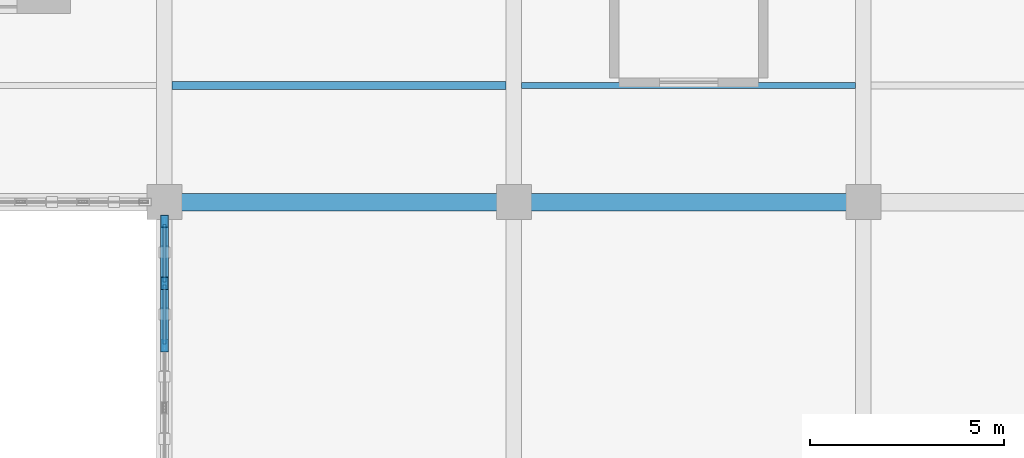
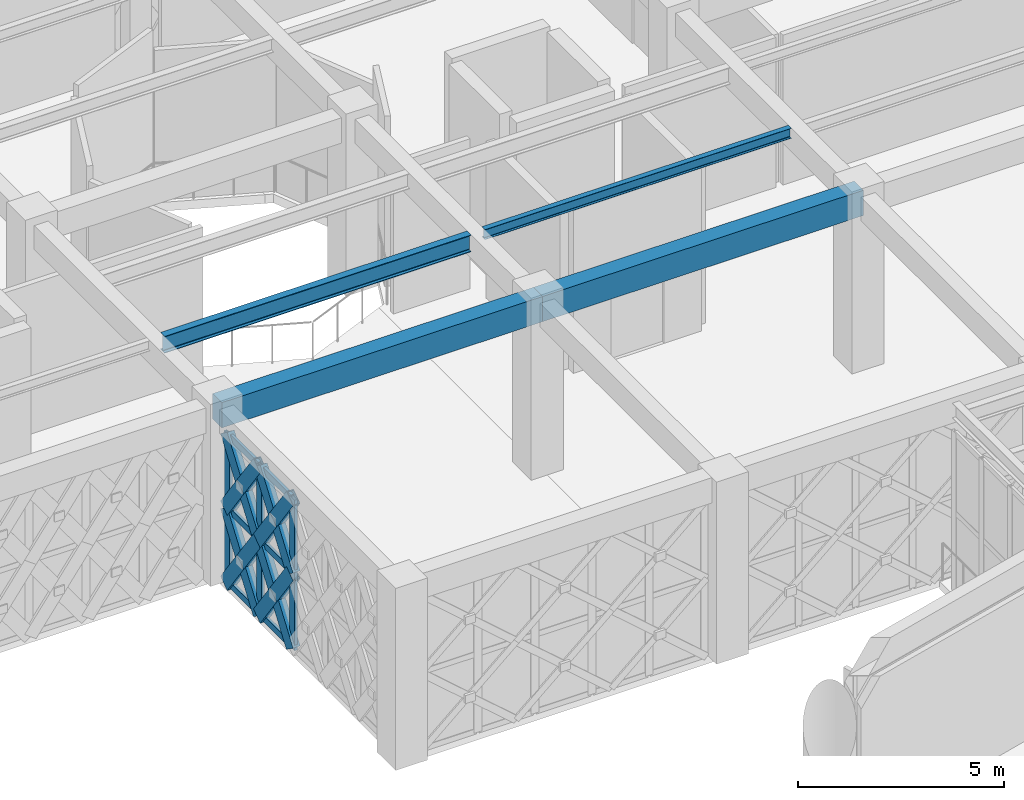
# One storey, part 72 of 155: 21 members, 4 beams, 1 element without a shape of its own.
"""IFC4 building model written with IfcOpenShell, lengths in metres."""

from ifc_helpers import new_model, si_unit, direction, frame, origin, origin_2d, place, context, subcontext, project, spatial, rectangle, hollow_rectangle, i_section, extrude, material, material_profile, profile_set, type_object, element, aggregate, save


model = new_model("IFC4")

# Units and contexts
model_context = context("Model", 3, precision=1e-05, world=origin(), true_north=direction((0.0, 1.0)))
body_context = subcontext(model_context, "Body", "Model", "MODEL_VIEW")
ifc_project = project(units=[si_unit("LENGTHUNIT", "METRE"), si_unit("AREAUNIT", "SQUARE_METRE"), si_unit("VOLUMEUNIT", "CUBIC_METRE"), si_unit("PLANEANGLEUNIT", "RADIAN"), si_unit("MASSUNIT", "GRAM", prefix="KILO")], contexts=[model_context])

# Site, building, storey
site_placement = place(None, origin())
site = spatial("IfcSite", under=ifc_project, at=site_placement, CompositionType="ELEMENT")
building_placement = place(site_placement, origin())
building = spatial("IfcBuilding", under=site, at=building_placement, Name="Haizhuo Lancet Aquarium", CompositionType="ELEMENT")
storey_placement = place(building_placement, frame((0.0, 0.0, 10.800048828125)))
storey = spatial("IfcBuildingStorey", under=building, at=storey_placement, Name="L02", CompositionType="ELEMENT", Elevation=10.800048828125)

# Beams
ifc_material_1 = material(Name="Concrete C40/50", Category="concrete")
ifc_material_profile_1 = material_profile(ifc_material_1, rectangle(XDim=0.449951171875, YDim=0.75, at=origin_2d()), Name="RC-BM 450x750")
ifc_profile_set_1 = profile_set([ifc_material_profile_1], Name="Concrete C40/50")
beam_type_1 = type_object("IfcBeamType", Name="BM-RC-450x750", PredefinedType="BEAM", material=ifc_profile_set_1)
for number, where, z_axis, x_axis, name in (
    (1, (-18.0, 36.0, 4.784912109375), (1.0, 0.0, 0.0), (0.0, 1.0, 0.0), "L02 V5 primary girder BM-L02-V5-006"),
    (2, (-9.0, 36.0, 4.784912109375), (1.0, 0.0, 0.0), (0.0, 1.0, 0.0), "L02 V5 primary girder BM-L02-V5-013"),
):
    element("IfcBeam", number, at=place(storey_placement, frame(where, z_axis=z_axis, x_axis=x_axis)), inside=storey, type_object=beam_type_1, Name=name, PredefinedType="BEAM", context=body_context, shape_type="SweptSolid", body=[
        extrude(rectangle(XDim=0.449951171875, YDim=0.75, at=origin_2d()), origin(), (0.0, 0.0, 1.0), 9.0),
    ])

# Curtain wall, members
ifc_material_2 = material(Name="Aluminium 6063-T6", Category="aluminium")
curtain_wall_type = type_object("IfcCurtainWallType", Name="CWD-8010x4460", PredefinedType="NOTDEFINED", material=ifc_material_2)
curtain_wall_placement = place(storey_placement, origin())
curtain_wall = element("IfcCurtainWall", 3, at=curtain_wall_placement, inside=storey, type_object=curtain_wall_type, Name="L02 curtain wall CW-V5-L02-159", PredefinedType="NOTDEFINED")
ifc_material_profile_2 = material_profile(ifc_material_2, hollow_rectangle(XDim=0.080078125, YDim=0.260009765625, WallThickness=0.0048828125, at=origin_2d()), Name="ALU-M 80x260x5")
ifc_profile_set_2 = profile_set([ifc_material_profile_2], Name="Aluminium 6063-T6")
member_type_1 = type_object("IfcMemberType", Name="CW-MUL-3", PredefinedType="MULLION", material=ifc_profile_set_2)
member_1_placement = place(storey_placement, frame((-18.0, 32.301025390625, 0.0), z_axis=(0.0, 0.0, 1.0), x_axis=(-1.0, 0.0, 0.0)))
member_1 = element("IfcMember", 4, at=member_1_placement, type_object=member_type_1, Name="CWD-80x44 mullion 4", PredefinedType="MULLION", context=body_context, shape_type="SweptSolid", body=[
    extrude(hollow_rectangle(XDim=0.080078125, YDim=0.260009765625, WallThickness=0.0048828125, at=origin_2d()), origin(), (0.0, 0.0, 1.0), 4.4599609375),
])
member_2_placement = place(storey_placement, frame((-18.0, 33.903076171875, 0.0), z_axis=(0.0, 0.0, 1.0), x_axis=(-1.0, 0.0, 0.0)))
member_2 = element("IfcMember", 5, at=member_2_placement, type_object=member_type_1, Name="CWD-80x44 mullion 5", PredefinedType="MULLION", context=body_context, shape_type="SweptSolid", body=[
    extrude(hollow_rectangle(XDim=0.080078125, YDim=0.260009765625, WallThickness=0.0048828125, at=origin_2d()), origin(), (0.0, 0.0, 1.0), 4.4599609375),
])
member_3_placement = place(storey_placement, frame((-18.0, 35.465087890625, 0.0), z_axis=(0.0, 0.0, 1.0), x_axis=(-1.0, 0.0, 0.0)))
member_3 = element("IfcMember", 6, at=member_3_placement, type_object=member_type_1, Name="CWD-80x44 mullion 6", PredefinedType="MULLION", context=body_context, shape_type="SweptSolid", body=[
    extrude(hollow_rectangle(XDim=0.080078125, YDim=0.260009765625, WallThickness=0.0048828125, at=origin_2d()), origin(), (0.0, 0.0, 1.0), 4.4599609375),
])
ifc_material_profile_3 = material_profile(ifc_material_2, hollow_rectangle(XDim=0.080078125, YDim=0.18994140625, WallThickness=0.0048828125, at=origin_2d()), Name="ALU-T 80x190x5")
ifc_profile_set_3 = profile_set([ifc_material_profile_3], Name="Aluminium 6063-T6")
member_type_2 = type_object("IfcMemberType", Name="CW-TRN-3", PredefinedType="NOTDEFINED", material=ifc_profile_set_3)
member_4_placement = place(storey_placement, frame((-18.0, 32.341064453125, 0.0400390625), z_axis=(0.0, 1.0, 0.0), x_axis=(-1.0, 0.0, 0.0)))
member_4 = element("IfcMember", 7, at=member_4_placement, type_object=member_type_2, Name="CWD-80x44 transom 4.1", ObjectType="TRANSOM", PredefinedType="USERDEFINED", context=body_context, shape_type="SweptSolid", body=[
    extrude(hollow_rectangle(XDim=0.080078125, YDim=0.18994140625, WallThickness=0.0048828125, at=origin_2d()), origin(), (0.0, 0.0, 1.0), 1.52197265625),
])
member_5_placement = place(storey_placement, frame((-18.0, 32.341064453125, 2.22998046875), z_axis=(0.0, 1.0, 0.0), x_axis=(-1.0, 0.0, 0.0)))
member_5 = element("IfcMember", 8, at=member_5_placement, type_object=member_type_2, Name="CWD-80x44 transom 4.2", ObjectType="TRANSOM", PredefinedType="USERDEFINED", context=body_context, shape_type="SweptSolid", body=[
    extrude(hollow_rectangle(XDim=0.080078125, YDim=0.18994140625, WallThickness=0.0048828125, at=origin_2d()), origin(), (0.0, 0.0, 1.0), 1.52197265625),
])
member_6_placement = place(storey_placement, frame((-18.0, 32.341064453125, 4.419921875), z_axis=(0.0, 1.0, 0.0), x_axis=(-1.0, 0.0, 0.0)))
member_6 = element("IfcMember", 9, at=member_6_placement, type_object=member_type_2, Name="CWD-80x44 transom 4.3", ObjectType="TRANSOM", PredefinedType="USERDEFINED", context=body_context, shape_type="SweptSolid", body=[
    extrude(hollow_rectangle(XDim=0.080078125, YDim=0.18994140625, WallThickness=0.0048828125, at=origin_2d()), origin(), (0.0, 0.0, 1.0), 1.52197265625),
])
member_7_placement = place(storey_placement, frame((-18.0, 33.943115234375, 0.0400390625), z_axis=(0.0, 1.0, 0.0), x_axis=(-1.0, 0.0, 0.0)))
member_7 = element("IfcMember", 10, at=member_7_placement, type_object=member_type_2, Name="CWD-80x44 transom 5.1", ObjectType="TRANSOM", PredefinedType="USERDEFINED", context=body_context, shape_type="SweptSolid", body=[
    extrude(hollow_rectangle(XDim=0.080078125, YDim=0.18994140625, WallThickness=0.0048828125, at=origin_2d()), origin(), (0.0, 0.0, 1.0), 1.48193359375),
])
member_8_placement = place(storey_placement, frame((-18.0, 33.943115234375, 2.22998046875), z_axis=(0.0, 1.0, 0.0), x_axis=(-1.0, 0.0, 0.0)))
member_8 = element("IfcMember", 11, at=member_8_placement, type_object=member_type_2, Name="CWD-80x44 transom 5.2", ObjectType="TRANSOM", PredefinedType="USERDEFINED", context=body_context, shape_type="SweptSolid", body=[
    extrude(hollow_rectangle(XDim=0.080078125, YDim=0.18994140625, WallThickness=0.0048828125, at=origin_2d()), origin(), (0.0, 0.0, 1.0), 1.48193359375),
])
member_9_placement = place(storey_placement, frame((-18.0, 33.943115234375, 4.419921875), z_axis=(0.0, 1.0, 0.0), x_axis=(-1.0, 0.0, 0.0)))
member_9 = element("IfcMember", 12, at=member_9_placement, type_object=member_type_2, Name="CWD-80x44 transom 5.3", ObjectType="TRANSOM", PredefinedType="USERDEFINED", context=body_context, shape_type="SweptSolid", body=[
    extrude(hollow_rectangle(XDim=0.080078125, YDim=0.18994140625, WallThickness=0.0048828125, at=origin_2d()), origin(), (0.0, 0.0, 1.0), 1.48193359375),
])
aggregate(curtain_wall, [member_1, member_2, member_3, member_4, member_5, member_6, member_7, member_8, member_9])

# Beams
ifc_material_3 = material(Name="Steel S355", Category="steel")
ifc_material_profile_4 = material_profile(ifc_material_3, i_section(OverallWidth=0.14990234375, OverallDepth=0.300048828125, WebThickness=0.006591796875, FlangeThickness=0.009033203125, FilletRadius=0.012939453125, at=origin_2d()), Name="HN 300x150x6.5x9")
ifc_profile_set_4 = profile_set([ifc_material_profile_4], Name="Steel S355")
beam_type_2 = type_object("IfcBeamType", Name="JST-ST-HN300", PredefinedType="JOIST", material=ifc_profile_set_4)
beam_1_placement = place(storey_placement, frame((-8.800048828125, 39.0, 5.010009765625), z_axis=(1.0, 0.0, 0.0), x_axis=(0.0, 1.0, 0.0)))
element("IfcBeam", 13, at=beam_1_placement, inside=storey, type_object=beam_type_2, Name="L02 V5 secondary floor joist 6", PredefinedType="JOIST", context=body_context, shape_type="SweptSolid", body=[
    extrude(i_section(OverallWidth=0.14990234375, OverallDepth=0.300048828125, WebThickness=0.006591796875, FlangeThickness=0.009033203125, FilletRadius=0.012939453125, at=origin_2d()), origin(), (0.0, 0.0, 1.0), 8.60009765625),
])
ifc_material_profile_5 = material_profile(ifc_material_3, i_section(OverallWidth=0.199951171875, OverallDepth=0.5, WebThickness=0.010009765625, FlangeThickness=0.01611328125, FilletRadius=0.02001953125, at=origin_2d()), Name="HN 500x200x10x16")
ifc_profile_set_5 = profile_set([ifc_material_profile_5], Name="Steel S355")
beam_type_3 = type_object("IfcBeamType", Name="JST-ST-HN500", PredefinedType="JOIST", material=ifc_profile_set_5)
beam_2_placement = place(storey_placement, frame((-17.800048828125, 39.0, 4.909912109375), z_axis=(1.0, 0.0, 0.0), x_axis=(0.0, 1.0, 0.0)))
element("IfcBeam", 14, at=beam_2_placement, inside=storey, type_object=beam_type_3, Name="L02 V5 secondary floor joist 2", PredefinedType="JOIST", context=body_context, shape_type="SweptSolid", body=[
    extrude(i_section(OverallWidth=0.199951171875, OverallDepth=0.5, WebThickness=0.010009765625, FlangeThickness=0.01611328125, FilletRadius=0.02001953125, at=origin_2d()), origin(), (0.0, 0.0, 1.0), 8.60009765625),
])

# Members
ifc_material_profile_6 = material_profile(ifc_material_3, hollow_rectangle(XDim=0.199951171875, YDim=0.39990234375, WallThickness=0.011962890625, at=origin_2d()), Name="RHS 200x400x12")
ifc_profile_set_6 = profile_set([ifc_material_profile_6], Name="Steel S355")
member_type_3 = type_object("IfcMemberType", Name="MEM-LB-RHS200x400", PredefinedType="BRACE", material=ifc_profile_set_6)
member_10_placement = place(storey_placement, frame((-18.0, 32.301025390625, 0.0), z_axis=(0.0, 0.583456487426, 0.81214440051), x_axis=(-1.0, 0.0, 0.0)))
element("IfcMember", 15, at=member_10_placement, inside=storey, type_object=member_type_3, Name="Gothic lancet continuous diagonal brace CW-V5-L02-159 7A", PredefinedType="BRACE", context=body_context, shape_type="SweptSolid", body=[
    extrude(hollow_rectangle(XDim=0.199951171875, YDim=0.39990234375, WallThickness=0.011962890625, at=origin_2d()), origin(), (0.0, 0.0, 1.0), 2.745849609375),
])
for number, where, z_axis, x_axis, name in (
    (16, (-18.0, 33.903076171875, 0.0), (0.0, -0.583456487426, 0.81214440051), (1.0, 0.0, 0.0), "Gothic lancet split diagonal brace CW-V5-L02-159 7B1"),
    (17, (-18.0, 33.10205078125, 1.114990234375), (0.0, -0.583456487426, 0.81214440051), (1.0, 0.0, 0.0), "Gothic lancet split diagonal brace CW-V5-L02-159 7B2"),
):
    element("IfcMember", number, at=place(storey_placement, frame(where, z_axis=z_axis, x_axis=x_axis)), inside=storey, type_object=member_type_3, Name=name, PredefinedType="BRACE", context=body_context, shape_type="SweptSolid", body=[
        extrude(hollow_rectangle(XDim=0.199951171875, YDim=0.39990234375, WallThickness=0.011962890625, at=origin_2d()), origin(), (0.0, 0.0, 1.0), 1.372802734375),
    ])
member_11_placement = place(storey_placement, frame((-18.0, 32.301025390625, 2.22998046875), z_axis=(0.0, 0.583456487426, 0.81214440051), x_axis=(-1.0, 0.0, 0.0)))
element("IfcMember", 18, at=member_11_placement, inside=storey, type_object=member_type_3, Name="Gothic lancet continuous diagonal brace CW-V5-L02-159 8A", PredefinedType="BRACE", context=body_context, shape_type="SweptSolid", body=[
    extrude(hollow_rectangle(XDim=0.199951171875, YDim=0.39990234375, WallThickness=0.011962890625, at=origin_2d()), origin(), (0.0, 0.0, 1.0), 2.745849609375),
])
for number, where, z_axis, x_axis, name in (
    (19, (-18.0, 33.903076171875, 2.22998046875), (0.0, -0.583456487426, 0.81214440051), (1.0, 0.0, 0.0), "Gothic lancet split diagonal brace CW-V5-L02-159 8B1"),
    (20, (-18.0, 33.10205078125, 3.344970703125), (0.0, -0.583456487426, 0.81214440051), (1.0, 0.0, 0.0), "Gothic lancet split diagonal brace CW-V5-L02-159 8B2"),
):
    element("IfcMember", number, at=place(storey_placement, frame(where, z_axis=z_axis, x_axis=x_axis)), inside=storey, type_object=member_type_3, Name=name, PredefinedType="BRACE", context=body_context, shape_type="SweptSolid", body=[
        extrude(hollow_rectangle(XDim=0.199951171875, YDim=0.39990234375, WallThickness=0.011962890625, at=origin_2d()), origin(), (0.0, 0.0, 1.0), 1.372802734375),
    ])
member_12_placement = place(storey_placement, frame((-18.0, 33.903076171875, 0.0), z_axis=(0.0, 0.583397836814, 0.812186532763), x_axis=(-1.0, 0.0, 0.0)))
element("IfcMember", 21, at=member_12_placement, inside=storey, type_object=member_type_3, Name="Gothic lancet continuous diagonal brace CW-V5-L02-159 9A", PredefinedType="BRACE", context=body_context, shape_type="SweptSolid", body=[
    extrude(hollow_rectangle(XDim=0.199951171875, YDim=0.39990234375, WallThickness=0.011962890625, at=origin_2d()), origin(), (0.0, 0.0, 1.0), 2.74560546875),
])
for number, where, z_axis, x_axis, name in (
    (22, (-18.0, 35.5048828125, 0.0), (0.0, -0.583339177073, 0.81222866515), (1.0, 0.0, 0.0), "Gothic lancet split diagonal brace CW-V5-L02-159 9B1"),
    (23, (-18.0, 34.7041015625, 1.114990234375), (0.0, -0.583456487426, 0.81214440051), (1.0, 0.0, 0.0), "Gothic lancet split diagonal brace CW-V5-L02-159 9B2"),
):
    element("IfcMember", number, at=place(storey_placement, frame(where, z_axis=z_axis, x_axis=x_axis)), inside=storey, type_object=member_type_3, Name=name, PredefinedType="BRACE", context=body_context, shape_type="SweptSolid", body=[
        extrude(hollow_rectangle(XDim=0.199951171875, YDim=0.39990234375, WallThickness=0.011962890625, at=origin_2d()), origin(), (0.0, 0.0, 1.0), 1.372802734375),
    ])
member_13_placement = place(storey_placement, frame((-18.0, 33.903076171875, 2.22998046875), z_axis=(0.0, 0.583397836814, 0.812186532763), x_axis=(-1.0, 0.0, 0.0)))
element("IfcMember", 24, at=member_13_placement, inside=storey, type_object=member_type_3, Name="Gothic lancet continuous diagonal brace CW-V5-L02-159 10A", PredefinedType="BRACE", context=body_context, shape_type="SweptSolid", body=[
    extrude(hollow_rectangle(XDim=0.199951171875, YDim=0.39990234375, WallThickness=0.011962890625, at=origin_2d()), origin(), (0.0, 0.0, 1.0), 2.74560546875),
])
for number, where, z_axis, x_axis, name in (
    (25, (-18.0, 35.5048828125, 2.22998046875), (0.0, -0.583339177073, 0.81222866515), (1.0, 0.0, 0.0), "Gothic lancet split diagonal brace CW-V5-L02-159 10B1"),
    (26, (-18.0, 34.7041015625, 3.344970703125), (0.0, -0.583456487426, 0.81214440051), (1.0, 0.0, 0.0), "Gothic lancet split diagonal brace CW-V5-L02-159 10B2"),
):
    element("IfcMember", number, at=place(storey_placement, frame(where, z_axis=z_axis, x_axis=x_axis)), inside=storey, type_object=member_type_3, Name=name, PredefinedType="BRACE", context=body_context, shape_type="SweptSolid", body=[
        extrude(hollow_rectangle(XDim=0.199951171875, YDim=0.39990234375, WallThickness=0.011962890625, at=origin_2d()), origin(), (0.0, 0.0, 1.0), 1.372802734375),
    ])

save(model, "model.ifc")
